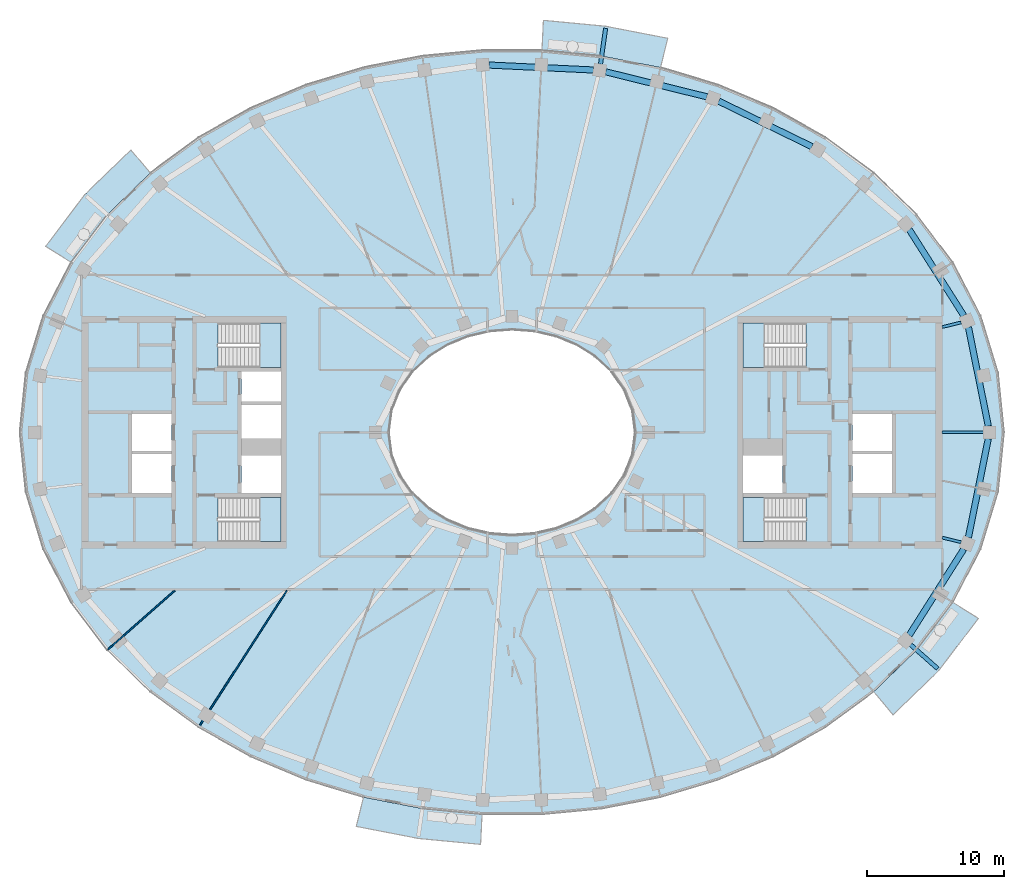
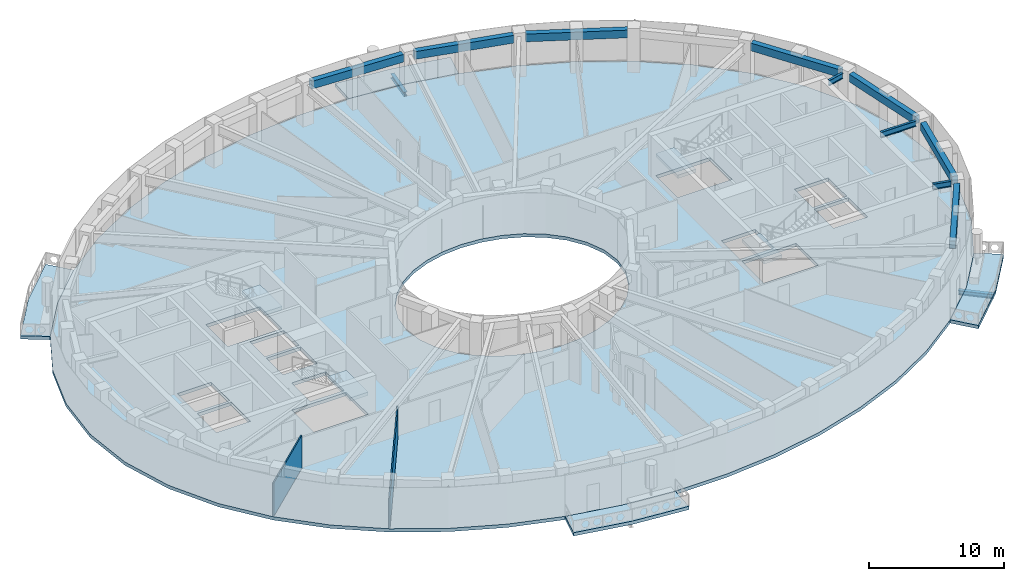
# One storey, part 2 of 16: 12 beams, 9 slabs, 2 walls, 4 elements without a shape of their own.
"""IFC4 building model written with IfcOpenShell, lengths in metres."""

from ifc_helpers import new_model, si_unit, direction, frame, frame_2d, origin, origin_2d, place, context, subcontext, project, spatial, polyline, rectangle, i_section, outline, extrude, material, layer, layer_set, material_profile, profile_set, type_object, element, aggregate, save


model = new_model("IFC4")

# Units and contexts
model_context = context("Model", 3, precision=1e-05, world=origin(), true_north=direction((0.0, 1.0)))
body_context = subcontext(model_context, "Body", "Model", "MODEL_VIEW")
ifc_project = project(units=[si_unit("LENGTHUNIT", "METRE"), si_unit("AREAUNIT", "SQUARE_METRE"), si_unit("VOLUMEUNIT", "CUBIC_METRE"), si_unit("PLANEANGLEUNIT", "RADIAN"), si_unit("MASSUNIT", "GRAM", prefix="KILO")], contexts=[model_context])

# Site, building, storey
site_placement = place(None, origin())
site = spatial("IfcSite", under=ifc_project, at=site_placement, CompositionType="ELEMENT")
building_placement = place(site_placement, origin())
building = spatial("IfcBuilding", under=site, at=building_placement, Name="Noorbagh Ring Tower", CompositionType="ELEMENT")
storey_placement = place(building_placement, frame((0.0, 0.0, 315.0)))
storey = spatial("IfcBuildingStorey", under=building, at=storey_placement, Name="L68", CompositionType="ELEMENT", Elevation=315.0)

# Beams
ifc_material_1 = material(Name="Steel S355", Category="steel")
ifc_material_profile_1 = material_profile(ifc_material_1, i_section(OverallWidth=0.300048828125, OverallDepth=0.39990234375, WebThickness=0.013427734375, FlangeThickness=0.02392578125, FilletRadius=0.027099609375, at=origin_2d()), Name="HEB400")
ifc_profile_set_1 = profile_set([ifc_material_profile_1], Name="Steel S355")
beam_type_1 = type_object("IfcBeamType", Name="STR-BALCONY-BRACKET-HEB400", PredefinedType="BEAM", material=ifc_profile_set_1)
beam_1_placement = place(storey_placement, frame((6.474365234375, 26.941162109375, -0.5), z_axis=(0.143047035154, 0.989715891422, 0.0), x_axis=(-0.989715891422, 0.143047035154, 0.0)))
element("IfcBeam", 1, at=beam_1_placement, inside=storey, type_object=beam_type_1, Name="Balcony bracket beam BN03", PredefinedType="BEAM", context=body_context, shape_type="SweptSolid", body=[
    extrude(i_section(OverallWidth=0.300048828125, OverallDepth=0.39990234375, WebThickness=0.013427734375, FlangeThickness=0.02392578125, FilletRadius=0.027099609375, at=origin_2d()), origin(), (0.0, 0.0, 1.0), 2.64892578125),
])
beam_2_placement = place(storey_placement, frame((29.15966796875, -15.531982421875, -0.5), z_axis=(0.749056248736, -0.662506404671, 0.0), x_axis=(0.662506404671, 0.749056248736, 0.0)))
element("IfcBeam", 2, at=beam_2_placement, inside=storey, type_object=beam_type_1, Name="Balcony bracket beam BS06", PredefinedType="BEAM", context=body_context, shape_type="SweptSolid", body=[
    extrude(i_section(OverallWidth=0.300048828125, OverallDepth=0.39990234375, WebThickness=0.013427734375, FlangeThickness=0.02392578125, FilletRadius=0.027099609375, at=origin_2d()), origin(), (0.0, 0.0, 1.0), 2.654296875),
])
ifc_material_2 = material(Name="Steel S355", Category="steel")
ifc_material_profile_2 = material_profile(ifc_material_2, i_section(OverallWidth=0.199951171875, OverallDepth=0.5, WebThickness=0.01025390625, FlangeThickness=0.01611328125, FilletRadius=0.02099609375, at=origin_2d()), Name="IPE500")
ifc_profile_set_2 = profile_set([ifc_material_profile_2], Name="Steel S355")
beam_type_2 = type_object("IfcBeamType", Name="STR-RAD-IPE500", PredefinedType="BEAM", material=ifc_profile_set_2)
beam_3_placement = place(storey_placement, frame((34.48974609375, 0.0, 3.449951171875), z_axis=(-1.0, 0.0, 0.0), x_axis=(0.0, -1.0, 0.0)))
element("IfcBeam", 3, at=beam_3_placement, inside=storey, type_object=beam_type_2, Name="L68/bm/RD01", PredefinedType="BEAM", context=body_context, shape_type="SweptSolid", body=[
    extrude(i_section(OverallWidth=0.199951171875, OverallDepth=0.5, WebThickness=0.01025390625, FlangeThickness=0.01611328125, FilletRadius=0.02099609375, at=origin_2d()), origin(), (0.0, 0.0, 1.0), 3.009765625),
])
for number, where, z_axis, x_axis, name in (
    (4, (32.858154296875, 8.0400390625, 3.449951171875), (-0.971335445274, -0.237712962949, 0.0), (0.237712962949, -0.971335445274, 0.0), "L68/bm/RD03"),
    (5, (32.858154296875, -8.0400390625, 3.449951171875), (-0.971335445274, 0.237712962949, 0.0), (-0.237712962949, -0.971335445274, 0.0), "L68/bm/RD45"),
):
    element("IfcBeam", number, at=place(storey_placement, frame(where, z_axis=z_axis, x_axis=x_axis)), inside=storey, type_object=beam_type_2, Name=name, PredefinedType="BEAM", context=body_context, shape_type="SweptSolid", body=[
        extrude(i_section(OverallWidth=0.199951171875, OverallDepth=0.5, WebThickness=0.01025390625, FlangeThickness=0.01611328125, FilletRadius=0.02099609375, at=origin_2d()), origin(), (0.0, 0.0, 1.0), 1.41845703125),
    ])
ifc_material_3 = material(Name="Concrete C40/50", Category="concrete")
ifc_material_profile_3 = material_profile(ifc_material_3, rectangle(XDim=0.449951171875, YDim=0.699951171875, at=origin_2d()), Name="RC450x700")
ifc_profile_set_3 = profile_set([ifc_material_profile_3], Name="Concrete C40/50")
beam_type_3 = type_object("IfcBeamType", Name="STR-SB-RC450x700-C40-50", PredefinedType="BEAM", material=ifc_profile_set_3)
beam_4_placement = place(storey_placement, frame((34.85302734375, 0.455322265625, 3.35009765625), z_axis=(-0.197209573264, 0.980361353896, 0.0), x_axis=(-0.980361353896, -0.197209573264, 0.0)))
element("IfcBeam", 6, at=beam_4_placement, inside=storey, type_object=beam_type_3, Name="L68/bm/SP01", PredefinedType="BEAM", context=body_context, shape_type="SweptSolid", body=[
    extrude(rectangle(XDim=0.449951171875, YDim=0.699951171875, at=origin_2d()), origin(), (0.0, 0.0, 1.0), 7.384521484375),
])
beam_5_placement = place(storey_placement, frame((33.0576171875, 8.5400390625, 3.35009765625), z_axis=(-0.535175885378, 0.84474065352, 0.0), x_axis=(-0.84474065352, -0.535175885378, 0.0)))
element("IfcBeam", 7, at=beam_5_placement, inside=storey, type_object=beam_type_3, Name="L68/bm/SP03", PredefinedType="BEAM", context=body_context, shape_type="SweptSolid", body=[
    extrude(rectangle(XDim=0.449951171875, YDim=0.699951171875, at=origin_2d()), origin(), (0.0, 0.0, 1.0), 7.459228515625),
])
beam_6_placement = place(storey_placement, frame((21.9501953125, 20.9013671875, 3.35009765625), z_axis=(-0.898405762579, 0.43916635318, 0.0), x_axis=(-0.43916635318, -0.898405762579, 0.0)))
element("IfcBeam", 8, at=beam_6_placement, inside=storey, type_object=beam_type_3, Name="L68/bm/SP07", PredefinedType="BEAM", context=body_context, shape_type="SweptSolid", body=[
    extrude(rectangle(XDim=0.449951171875, YDim=0.699951171875, at=origin_2d()), origin(), (0.0, 0.0, 1.0), 7.6015625),
])
beam_7_placement = place(storey_placement, frame((14.265380859375, 24.550537109375, 3.35009765625), z_axis=(-0.970830763324, 0.239765779427, 0.0), x_axis=(-0.239765779427, -0.970830763324, 0.0)))
element("IfcBeam", 9, at=beam_7_placement, inside=storey, type_object=beam_type_3, Name="L68/bm/SP09", PredefinedType="BEAM", context=body_context, shape_type="SweptSolid", body=[
    extrude(rectangle(XDim=0.449951171875, YDim=0.699951171875, at=origin_2d()), origin(), (0.0, 0.0, 1.0), 7.634765625),
])
beam_8_placement = place(storey_placement, frame((5.95263671875, 26.5126953125, 3.35009765625), z_axis=(-0.998869653919, 0.047533298648, 0.0), x_axis=(-0.047533298648, -0.998869653919, 0.0)))
element("IfcBeam", 10, at=beam_8_placement, inside=storey, type_object=beam_type_3, Name="L68/bm/SP11", PredefinedType="BEAM", context=body_context, shape_type="SweptSolid", body=[
    extrude(rectangle(XDim=0.449951171875, YDim=0.699951171875, at=origin_2d()), origin(), (0.0, 0.0, 1.0), 7.647705078125),
])
beam_9_placement = place(storey_placement, frame((29.065673828125, -14.841064453125, 3.35009765625), z_axis=(0.535175885378, 0.84474065352, 0.0), x_axis=(-0.84474065352, 0.535175885378, 0.0)))
element("IfcBeam", 11, at=beam_9_placement, inside=storey, type_object=beam_type_3, Name="L68/bm/SP43", PredefinedType="BEAM", context=body_context, shape_type="SweptSolid", body=[
    extrude(rectangle(XDim=0.449951171875, YDim=0.699951171875, at=origin_2d()), origin(), (0.0, 0.0, 1.0), 7.459228515625),
])
beam_10_placement = place(storey_placement, frame((33.396728515625, -7.69482421875, 3.35009765625), z_axis=(0.197209573264, 0.980361353896, 0.0), x_axis=(-0.980361353896, 0.197209573264, 0.0)))
element("IfcBeam", 12, at=beam_10_placement, inside=storey, type_object=beam_type_3, Name="L68/bm/SP45", PredefinedType="BEAM", context=body_context, shape_type="SweptSolid", body=[
    extrude(rectangle(XDim=0.449951171875, YDim=0.699951171875, at=origin_2d()), origin(), (0.0, 0.0, 1.0), 7.384521484375),
])

# Stair, slab
ifc_material_4 = material(Name="Concrete C40/50", Category="concrete")
stair_type = type_object("IfcStairType", Name="CORE-STAIR", PredefinedType="HALF_TURN_STAIR", material=ifc_material_4)
stair_1_placement = place(storey_placement, origin())
stair_1 = element("IfcStair", 13, at=stair_1_placement, inside=storey, type_object=stair_type, Name="L68 Exit stair ST1", PredefinedType="HALF_TURN_STAIR")
ifc_material_5 = material(Name="Concrete C40/50", Category="concrete")
ifc_layer_1 = layer(ifc_material_5, 0.300048828125)
ifc_layer_set_1 = layer_set([ifc_layer_1], Name="Concrete C40/50")
slab_type_1 = type_object("IfcSlabType", Name="CORE-STAIR-LANDING", PredefinedType="LANDING", material=ifc_layer_set_1)
slab_1_placement = place(storey_placement, frame((0.0, 0.0, 1.699951171875)))
slab_1 = element("IfcSlab", 14, at=slab_1_placement, type_object=slab_type_1, Name="ST1 landing 1", PredefinedType="LANDING", context=body_context, shape_type="SweptSolid", body=[
    extrude(outline(polyline([(-18.449951171875, 4.75), (-16.89990234375, 4.75), (-16.89990234375, 8.0), (-18.449951171875, 8.0), (-18.449951171875, 4.75)])), origin(), (0.0, 0.0, 1.0), 0.300048828125),
])
aggregate(stair_1, [slab_1])

stair_2_placement = place(storey_placement, origin())
stair_2 = element("IfcStair", 15, at=stair_2_placement, inside=storey, type_object=stair_type, Name="L68 Exit stair ST2", PredefinedType="HALF_TURN_STAIR")
slab_2_placement = place(storey_placement, frame((0.0, 0.0, 1.699951171875)))
slab_2 = element("IfcSlab", 16, at=slab_2_placement, type_object=slab_type_1, Name="ST2 landing 1", PredefinedType="LANDING", context=body_context, shape_type="SweptSolid", body=[
    extrude(outline(polyline([(-18.449951171875, -8.0), (-16.89990234375, -8.0), (-16.89990234375, -4.75), (-18.449951171875, -4.75), (-18.449951171875, -8.0)])), origin(), (0.0, 0.0, 1.0), 0.300048828125),
])
aggregate(stair_2, [slab_2])

stair_3_placement = place(storey_placement, origin())
stair_3 = element("IfcStair", 17, at=stair_3_placement, inside=storey, type_object=stair_type, Name="L68 Exit stair ST3", PredefinedType="HALF_TURN_STAIR")
slab_3_placement = place(storey_placement, frame((0.0, 0.0, 1.699951171875)))
slab_3 = element("IfcSlab", 18, at=slab_3_placement, type_object=slab_type_1, Name="ST3 landing 1", PredefinedType="LANDING", context=body_context, shape_type="SweptSolid", body=[
    extrude(outline(polyline([(18.449951171875, 8.0), (16.89990234375, 8.0), (16.89990234375, 4.75), (18.449951171875, 4.75), (18.449951171875, 8.0)])), origin(), (0.0, 0.0, 1.0), 0.300048828125),
])
aggregate(stair_3, [slab_3])

stair_4_placement = place(storey_placement, origin())
stair_4 = element("IfcStair", 19, at=stair_4_placement, inside=storey, type_object=stair_type, Name="L68 Exit stair ST4", PredefinedType="HALF_TURN_STAIR")
slab_4_placement = place(storey_placement, frame((0.0, 0.0, 1.699951171875)))
slab_4 = element("IfcSlab", 20, at=slab_4_placement, type_object=slab_type_1, Name="ST4 landing 1", PredefinedType="LANDING", context=body_context, shape_type="SweptSolid", body=[
    extrude(outline(polyline([(18.449951171875, -4.75), (16.89990234375, -4.75), (16.89990234375, -8.0), (18.449951171875, -8.0), (18.449951171875, -4.75)])), origin(), (0.0, 0.0, 1.0), 0.300048828125),
])
aggregate(stair_4, [slab_4])

# Slabs
ifc_material_6 = material(Name="Concrete C40/50", Category="concrete")
ifc_layer_2 = layer(ifc_material_6, 0.300048828125)
ifc_layer_set_2 = layer_set([ifc_layer_2], Name="Concrete C40/50")
slab_type_2 = type_object("IfcSlabType", Name="ENV-BALCONY DECK 300", PredefinedType="FLOOR", material=ifc_layer_set_2)
slab_5_placement = place(storey_placement, frame((0.0, 0.0, -0.300048828125)))
element("IfcSlab", 21, at=slab_5_placement, inside=storey, type_object=slab_type_2, Name="Tree balcony deck BN03", PredefinedType="FLOOR", context=body_context, shape_type="SweptSolid", body=[
    extrude(outline(polyline([(11.3935546875, 28.832763671875), (6.874755859375, 29.711181640625), (2.2978515625, 30.14794921875), (2.193115234375, 27.947998046875), (6.5595703125, 27.53125), (10.865234375, 26.6943359375), (11.3935546875, 28.832763671875)])), origin(), (0.0, 0.0, 1.0), 0.300048828125),
])
slab_6_placement = place(storey_placement, frame((0.0, 0.0, -0.300048828125)))
element("IfcSlab", 22, at=slab_6_placement, inside=storey, type_object=slab_type_2, Name="Tree balcony deck BN06", PredefinedType="FLOOR", context=body_context, shape_type="SweptSolid", body=[
    extrude(outline(polyline([(-27.888671875, 20.665771484375), (-31.26025390625, 17.389892578125), (-34.120361328125, 13.615966796875), (-32.255126953125, 12.434814453125), (-29.607666015625, 15.92822265625), (-26.463134765625, 18.983154296875), (-27.888671875, 20.665771484375)])), origin(), (0.0, 0.0, 1.0), 0.300048828125),
])
slab_7_placement = place(storey_placement, frame((0.0, 0.0, -0.300048828125)))
element("IfcSlab", 23, at=slab_7_placement, inside=storey, type_object=slab_type_2, Name="Tree balcony deck BS03", PredefinedType="FLOOR", context=body_context, shape_type="SweptSolid", body=[
    extrude(outline(polyline([(-11.3935546875, -28.832763671875), (-6.874755859375, -29.711181640625), (-2.2978515625, -30.14794921875), (-2.193115234375, -27.947998046875), (-6.5595703125, -27.53125), (-10.865234375, -26.6943359375), (-11.3935546875, -28.832763671875)])), origin(), (0.0, 0.0, 1.0), 0.300048828125),
])
slab_8_placement = place(storey_placement, frame((0.0, 0.0, -0.300048828125)))
element("IfcSlab", 24, at=slab_8_placement, inside=storey, type_object=slab_type_2, Name="Tree balcony deck BS06", PredefinedType="FLOOR", context=body_context, shape_type="SweptSolid", body=[
    extrude(outline(polyline([(27.888671875, -20.665771484375), (31.26025390625, -17.389892578125), (34.120361328125, -13.615966796875), (32.255126953125, -12.434814453125), (29.607666015625, -15.92822265625), (26.463134765625, -18.983154296875), (27.888671875, -20.665771484375)])), origin(), (0.0, 0.0, 1.0), 0.300048828125),
])
ifc_material_7 = material(Name="Concrete C40/50", Category="concrete")
ifc_layer_3 = layer(ifc_material_7, 0.300048828125)
ifc_layer_set_3 = layer_set([ifc_layer_3], Name="Concrete C40/50")
slab_type_3 = type_object("IfcSlabType", Name="STR-FLOOR-DECK-300", PredefinedType="FLOOR", material=ifc_layer_set_3)
slab_9_placement = place(storey_placement, frame((0.0, 0.0, -0.300048828125)))
element("IfcSlab", 25, at=slab_9_placement, inside=storey, type_object=slab_type_3, Name="L68/slab/1", PredefinedType="FLOOR", context=body_context, shape_type="SweptSolid", body=[
    extrude(outline(polyline([(36.0, 0.0), (35.56103515625, 4.358642578125), (34.281005859375, 8.548828125), (32.255126953125, 12.434814453125), (29.607666015625, 15.92822265625), (26.463134765625, 18.983154296875), (22.9326171875, 21.583740234375), (19.108154296875, 23.730224609375), (15.0654296875, 25.430419921875), (10.865234375, 26.6943359375), (6.5595703125, 27.53125), (2.193115234375, 27.947998046875), (-2.193115234375, 27.947998046875), (-6.5595703125, 27.53125), (-10.865234375, 26.6943359375), (-15.0654296875, 25.430419921875), (-19.108154296875, 23.730224609375), (-22.9326171875, 21.583740234375), (-26.463134765625, 18.983154296875), (-29.607666015625, 15.92822265625), (-32.255126953125, 12.434814453125), (-34.281005859375, 8.548828125), (-35.56103515625, 4.358642578125), (-36.0, 0.0), (-35.56103515625, -4.358642578125), (-34.281005859375, -8.548828125), (-32.255126953125, -12.434814453125), (-29.607666015625, -15.92822265625), (-26.463134765625, -18.983154296875), (-22.9326171875, -21.583740234375), (-19.108154296875, -23.730224609375), (-15.0654296875, -25.430419921875), (-10.865234375, -26.6943359375), (-6.5595703125, -27.53125), (-2.193115234375, -27.947998046875), (2.193115234375, -27.947998046875), (6.5595703125, -27.53125), (10.865234375, -26.6943359375), (15.0654296875, -25.430419921875), (19.108154296875, -23.730224609375), (22.9326171875, -21.583740234375), (26.463134765625, -18.983154296875), (29.607666015625, -15.92822265625), (32.255126953125, -12.434814453125), (34.281005859375, -8.548828125), (35.56103515625, -4.358642578125), (36.0, 0.0)]), holes=[polyline([(24.89990234375, -1.60009765625), (27.800048828125, -1.60009765625), (27.800048828125, -4.449951171875), (24.89990234375, -4.449951171875), (24.89990234375, -1.60009765625)]), polyline([(24.89990234375, 1.35009765625), (27.800048828125, 1.35009765625), (27.800048828125, -1.35009765625), (24.89990234375, -1.35009765625), (24.89990234375, 1.35009765625)]), polyline([(21.529541015625, -8.0), (16.89990234375, -8.0), (16.89990234375, -4.75), (21.529541015625, -4.75), (21.529541015625, -8.0)]), polyline([(21.529541015625, 4.75), (16.89990234375, 4.75), (16.89990234375, 8.0), (21.529541015625, 8.0), (21.529541015625, 4.75)]), polyline([(16.89990234375, -1.699951171875), (19.800048828125, -1.699951171875), (19.800048828125, -4.449951171875), (16.89990234375, -4.449951171875), (16.89990234375, -1.699951171875)]), polyline([(4.697509765625, -6.3974609375), (3.196533203125, -7.010986328125), (1.6171875, -7.3779296875), (0.0, -7.5), (-1.6171875, -7.3779296875), (-3.196533203125, -7.010986328125), (-4.697509765625, -6.3974609375), (-6.071044921875, -5.53662109375), (-7.2587890625, -4.43408203125), (-8.1904296875, -3.10888671875), (-8.79150390625, -1.605224609375), (-9.0, 0.0), (-8.79150390625, 1.605224609375), (-8.1904296875, 3.10888671875), (-7.2587890625, 4.43408203125), (-6.071044921875, 5.53662109375), (-4.697509765625, 6.3974609375), (-3.196533203125, 7.010986328125), (-1.6171875, 7.3779296875), (0.0, 7.5), (1.6171875, 7.3779296875), (3.196533203125, 7.010986328125), (4.697509765625, 6.3974609375), (6.071044921875, 5.53662109375), (7.2587890625, 4.43408203125), (8.1904296875, 3.10888671875), (8.79150390625, 1.605224609375), (9.0, 0.0), (8.79150390625, -1.605224609375), (8.1904296875, -3.10888671875), (7.2587890625, -4.43408203125), (6.071044921875, -5.53662109375), (4.697509765625, -6.3974609375)]), polyline([(-21.529541015625, -8.0), (-21.529541015625, -4.75), (-16.89990234375, -4.75), (-16.89990234375, -8.0), (-21.529541015625, -8.0)]), polyline([(-21.529541015625, 4.75), (-21.529541015625, 8.0), (-16.89990234375, 8.0), (-16.89990234375, 4.75), (-21.529541015625, 4.75)]), polyline([(-16.89990234375, -4.449951171875), (-19.800048828125, -4.449951171875), (-19.800048828125, -1.699951171875), (-16.89990234375, -1.699951171875), (-16.89990234375, -4.449951171875)]), polyline([(-16.89990234375, -0.449951171875), (-19.800048828125, -0.449951171875), (-19.800048828125, 2.0), (-16.89990234375, 2.0), (-16.89990234375, -0.449951171875)]), polyline([(-16.89990234375, 2.25), (-19.800048828125, 2.25), (-19.800048828125, 4.449951171875), (-16.89990234375, 4.449951171875), (-16.89990234375, 2.25)]), polyline([(-24.89990234375, -4.449951171875), (-27.800048828125, -4.449951171875), (-27.800048828125, -1.60009765625), (-24.89990234375, -1.60009765625), (-24.89990234375, -4.449951171875)]), polyline([(-24.89990234375, 1.35009765625), (-24.89990234375, -1.35009765625), (-27.800048828125, -1.35009765625), (-27.800048828125, 1.35009765625), (-24.89990234375, 1.35009765625)])]), origin(), (0.0, 0.0, 1.0), 0.300048828125),
])

# Walls
ifc_material_8 = material(Name="Gypsum board on steel studs", Category="steel")
ifc_layer_4 = layer(ifc_material_8, 0.10009765625)
ifc_layer_set_4 = layer_set([ifc_layer_4], Name="Gypsum board on steel studs")
wall_type = type_object("IfcWallType", Name="PARTITION 100 GYPSUM", PredefinedType="PARTITIONING", material=ifc_layer_set_4)
wall_1_placement = place(storey_placement, frame((-29.569091796875, -15.89501953125, 0.0), z_axis=(0.0, 0.0, 1.0), x_axis=(0.748988695283, 0.662582775461, 0.0)))
element("IfcWall", 26, at=wall_1_placement, inside=storey, type_object=wall_type, Name="L68/wall/P06", PredefinedType="PARTITIONING", context=body_context, shape_type="SweptSolid", body=[
    extrude(rectangle(XDim=6.515625, YDim=0.10009765625, at=frame_2d((3.2578125, 0.0))), origin(), (0.0, 0.0, 1.0), 3.0),
])
wall_2_placement = place(storey_placement, frame((-22.905029296875, -21.5419921875, 0.0), z_axis=(0.0, 0.0, 1.0), x_axis=(0.54229092728, 0.840190782019, 0.0)))
element("IfcWall", 27, at=wall_2_placement, inside=storey, type_object=wall_type, Name="L68/wall/P07", PredefinedType="PARTITIONING", context=body_context, shape_type="SweptSolid", body=[
    extrude(rectangle(XDim=11.86279296875, YDim=0.10009765625, at=frame_2d((5.931396484375, 0.0))), origin(), (0.0, 0.0, 1.0), 2.75),
])

save(model, "model.ifc")
